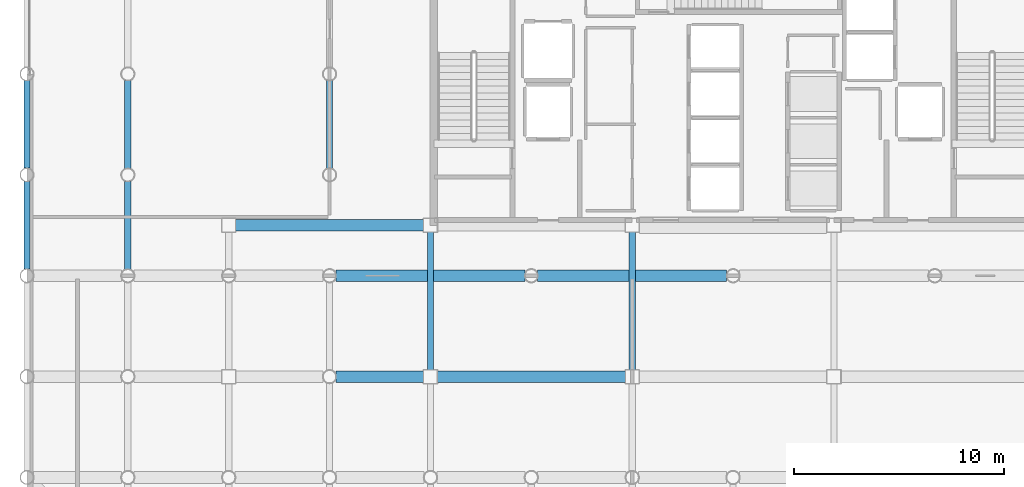
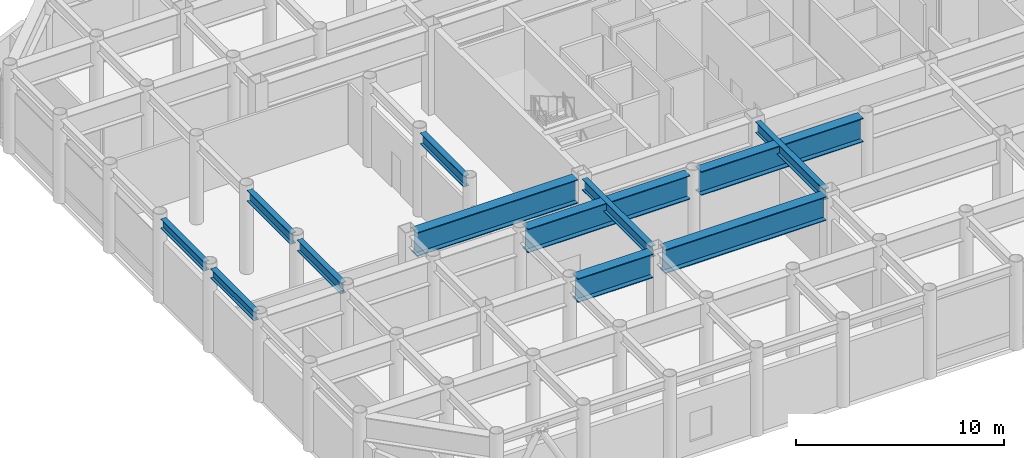
# One storey, part 3 of 20: 12 beams.
"""IFC4 building model written with IfcOpenShell, lengths in metres."""

from ifc_helpers import new_model, si_unit, direction, frame, origin, origin_2d, place, context, subcontext, project, spatial, i_section, extrude, material, material_profile, profile_set, type_object, element, save


model = new_model("IFC4")

# Units and contexts
model_context = context("Model", 3, precision=1e-05, world=origin(), true_north=direction((0.0, 1.0)))
body_context = subcontext(model_context, "Body", "Model", "MODEL_VIEW")
ifc_project = project(units=[si_unit("LENGTHUNIT", "METRE"), si_unit("AREAUNIT", "SQUARE_METRE"), si_unit("VOLUMEUNIT", "CUBIC_METRE"), si_unit("PLANEANGLEUNIT", "RADIAN"), si_unit("MASSUNIT", "GRAM", prefix="KILO")], contexts=[model_context])

# Site, building, storey
site_placement = place(None, origin())
site = spatial("IfcSite", under=ifc_project, at=site_placement, CompositionType="ELEMENT")
building_placement = place(site_placement, origin())
building = spatial("IfcBuilding", under=site, at=building_placement, Name="Kallvorn Hotel Tower", CompositionType="ELEMENT")
storey_placement = place(building_placement, frame((0.0, 0.0, 180.300048828125)))
storey = spatial("IfcBuildingStorey", under=building, at=storey_placement, Name="L45", CompositionType="ELEMENT", Elevation=180.300048828125)

# Beams
ifc_material_1 = material(Name="Structural steel S355JR", Category="steel")
ifc_material_profile_1 = material_profile(ifc_material_1, i_section(OverallWidth=0.300048828125, OverallDepth=0.550048828125, WebThickness=0.014892578125, FlangeThickness=0.029052734375, at=origin_2d()), Name="HE 550 B")
ifc_profile_set_1 = profile_set([ifc_material_profile_1], Name="Structural steel S355JR")
beam_type_1 = type_object("IfcBeamType", Name="BM_HE550B", PredefinedType="SPANDREL", material=ifc_profile_set_1)
for number, where, z_axis, x_axis, name in (
    (1, (-33.60009765625, -9.280029296875, 4.675048828125), (0.0, 1.0, 0.0), (-1.0, 0.0, 0.0), "L46 Perimeter Spandrel 176"),
    (2, (-33.60009765625, -4.47998046875, 4.675048828125), (0.0, 1.0, 0.0), (-1.0, 0.0, 0.0), "L46 Perimeter Spandrel 177"),
):
    element("IfcBeam", number, at=place(storey_placement, frame(where, z_axis=z_axis, x_axis=x_axis)), inside=storey, type_object=beam_type_1, Name=name, PredefinedType="SPANDREL", context=body_context, shape_type="SweptSolid", body=[
        extrude(i_section(OverallWidth=0.300048828125, OverallDepth=0.550048828125, WebThickness=0.014892578125, FlangeThickness=0.029052734375, at=origin_2d()), origin(), (0.0, 0.0, 1.0), 4.159912109375),
    ])
ifc_material_2 = material(Name="Structural steel S355JR", Category="steel")
ifc_material_profile_2 = material_profile(ifc_material_2, i_section(OverallWidth=0.300048828125, OverallDepth=0.64990234375, WebThickness=0.01611328125, FlangeThickness=0.031005859375, at=origin_2d()), Name="HE 650 B")
ifc_profile_set_2 = profile_set([ifc_material_profile_2], Name="Structural steel S355JR")
beam_type_2 = type_object("IfcBeamType", Name="BM_HE650B", PredefinedType="BEAM", material=ifc_profile_set_2)
beam_1_placement = place(storey_placement, frame((-28.800048828125, -9.294921875, 4.625), z_axis=(0.0, 1.0, 0.0), x_axis=(-1.0, 0.0, 0.0)))
element("IfcBeam", 3, at=beam_1_placement, inside=storey, type_object=beam_type_2, Name="L46 Primary Y-Girder 76", PredefinedType="BEAM", context=body_context, shape_type="SweptSolid", body=[
    extrude(i_section(OverallWidth=0.300048828125, OverallDepth=0.64990234375, WebThickness=0.01611328125, FlangeThickness=0.031005859375, at=origin_2d()), origin(), (0.0, 0.0, 1.0), 4.18994140625),
])
for number, where, z_axis, x_axis, name in (
    (4, (-28.800048828125, -4.4951171875, 4.625), (0.0, 1.0, 0.0), (-1.0, 0.0, 0.0), "L46 Primary Y-Girder 77"),
    (5, (-19.199951171875, -4.4951171875, 4.625), (0.0, 1.0, 0.0), (-1.0, 0.0, 0.0), "L46 Primary Y-Girder 93"),
):
    element("IfcBeam", number, at=place(storey_placement, frame(where, z_axis=z_axis, x_axis=x_axis)), inside=storey, type_object=beam_type_2, Name=name, PredefinedType="BEAM", context=body_context, shape_type="SweptSolid", body=[
        extrude(i_section(OverallWidth=0.300048828125, OverallDepth=0.64990234375, WebThickness=0.01611328125, FlangeThickness=0.031005859375, at=origin_2d()), origin(), (0.0, 0.0, 1.0), 4.190185546875),
    ])
for number, where, z_axis, x_axis, name in (
    (6, (-14.39990234375, -14.074951171875, 4.625), (0.0, 1.0, 0.0), (-1.0, 0.0, 0.0), "L46 Primary Y-Girder 100"),
    (7, (-4.800048828125, -14.074951171875, 4.625), (0.0, 1.0, 0.0), (-1.0, 0.0, 0.0), "L46 Primary Y-Girder 108"),
):
    element("IfcBeam", number, at=place(storey_placement, frame(where, z_axis=z_axis, x_axis=x_axis)), inside=storey, type_object=beam_type_2, Name=name, PredefinedType="BEAM", context=body_context, shape_type="SweptSolid", body=[
        extrude(i_section(OverallWidth=0.300048828125, OverallDepth=0.64990234375, WebThickness=0.01611328125, FlangeThickness=0.031005859375, at=origin_2d()), origin(), (0.0, 0.0, 1.0), 6.550048828125),
    ])
ifc_material_3 = material(Name="Structural steel S355JR", Category="steel")
ifc_material_profile_3 = material_profile(ifc_material_3, i_section(OverallWidth=0.550048828125, OverallDepth=1.39990234375, WebThickness=0.02490234375, FlangeThickness=0.044921875, at=origin_2d()), Name="PG 1400x550x25x45")
ifc_profile_set_3 = profile_set([ifc_material_profile_3], Name="Structural steel S355JR")
beam_type_3 = type_object("IfcBeamType", Name="BM_PG_1400", PredefinedType="BEAM", material=ifc_profile_set_3)
beam_2_placement = place(storey_placement, frame((-18.89501953125, -14.39990234375, 4.25), z_axis=(1.0, 0.0, 0.0), x_axis=(0.0, 1.0, 0.0)))
element("IfcBeam", 8, at=beam_2_placement, inside=storey, type_object=beam_type_3, Name="L46 Primary X-Girder 17", PredefinedType="BEAM", context=body_context, shape_type="SweptSolid", body=[
    extrude(i_section(OverallWidth=0.550048828125, OverallDepth=1.39990234375, WebThickness=0.02490234375, FlangeThickness=0.044921875, at=origin_2d()), origin(), (0.0, 0.0, 1.0), 4.169921875),
])
beam_3_placement = place(storey_placement, frame((-14.074951171875, -14.39990234375, 4.25), z_axis=(1.0, 0.0, 0.0), x_axis=(0.0, 1.0, 0.0)))
element("IfcBeam", 9, at=beam_3_placement, inside=storey, type_object=beam_type_3, Name="L46 Primary X-Girder 18", PredefinedType="BEAM", context=body_context, shape_type="SweptSolid", body=[
    extrude(i_section(OverallWidth=0.550048828125, OverallDepth=1.39990234375, WebThickness=0.02490234375, FlangeThickness=0.044921875, at=origin_2d()), origin(), (0.0, 0.0, 1.0), 8.949951171875),
])
for number, where, z_axis, x_axis, name in (
    (10, (-18.89501953125, -9.60009765625, 4.25), (1.0, 0.0, 0.0), (0.0, 1.0, 0.0), "L46 Primary X-Girder 27"),
    (11, (-9.294921875, -9.60009765625, 4.25), (1.0, 0.0, 0.0), (0.0, 1.0, 0.0), "L46 Primary X-Girder 28"),
):
    element("IfcBeam", number, at=place(storey_placement, frame(where, z_axis=z_axis, x_axis=x_axis)), inside=storey, type_object=beam_type_3, Name=name, PredefinedType="BEAM", context=body_context, shape_type="SweptSolid", body=[
        extrude(i_section(OverallWidth=0.550048828125, OverallDepth=1.39990234375, WebThickness=0.02490234375, FlangeThickness=0.044921875, at=origin_2d()), origin(), (0.0, 0.0, 1.0), 8.989990234375),
    ])
beam_4_placement = place(storey_placement, frame((-23.675048828125, -7.199951171875, 4.25), z_axis=(1.0, 0.0, 0.0), x_axis=(0.0, 1.0, 0.0)))
element("IfcBeam", 12, at=beam_4_placement, inside=storey, type_object=beam_type_3, Name="L46 Primary X-Girder 33", PredefinedType="BEAM", context=body_context, shape_type="SweptSolid", body=[
    extrude(i_section(OverallWidth=0.550048828125, OverallDepth=1.39990234375, WebThickness=0.02490234375, FlangeThickness=0.044921875, at=origin_2d()), origin(), (0.0, 0.0, 1.0), 8.949951171875),
])

save(model, "model.ifc")
